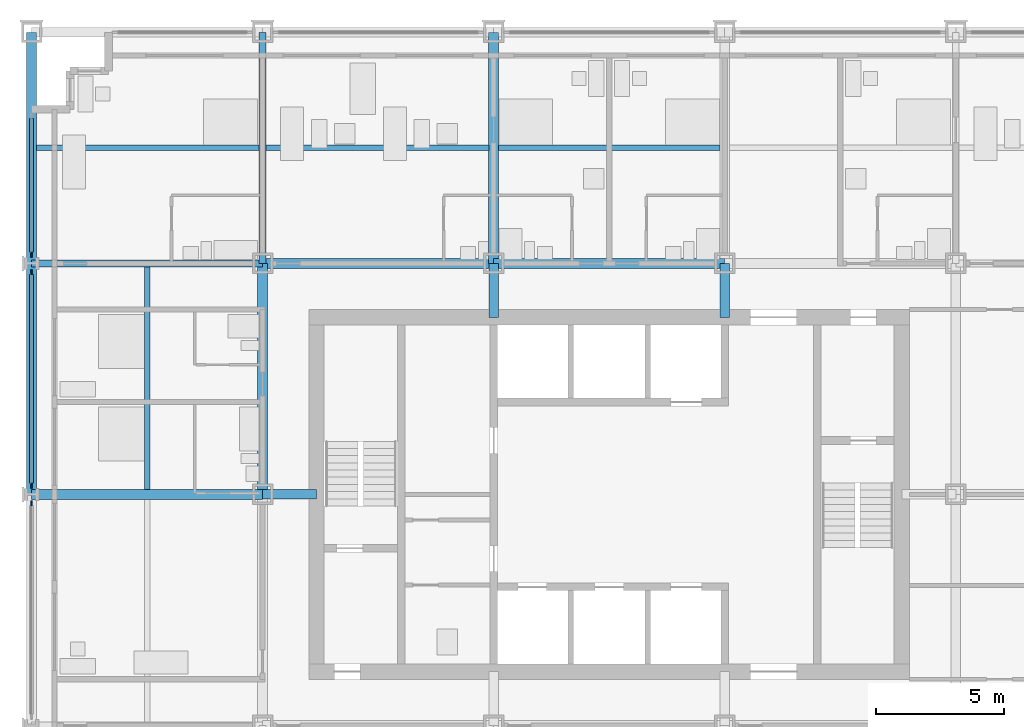
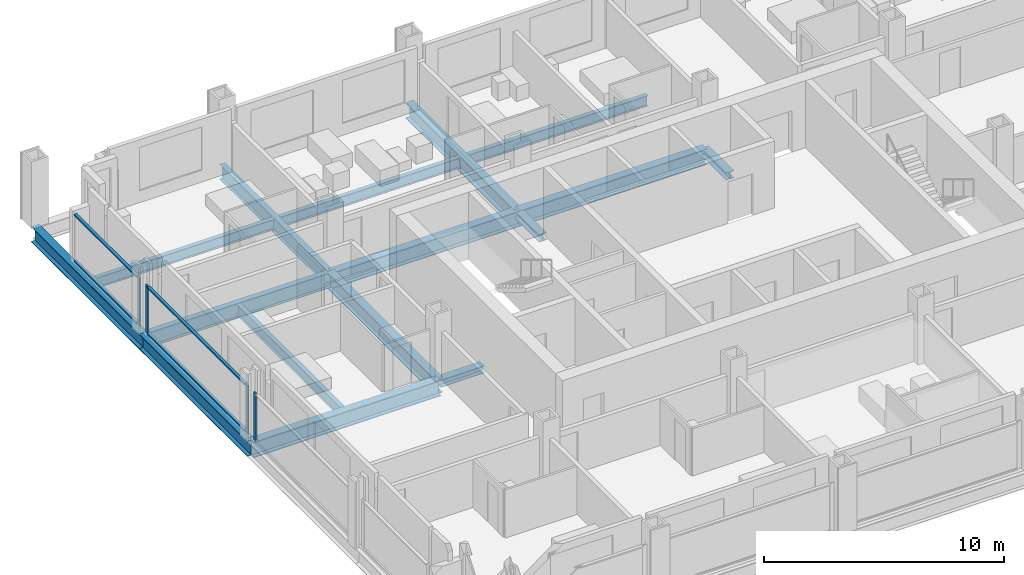
# One storey, part 4 of 18: 13 beams, 11 members, 3 elements without a shape of their own.
"""IFC4 building model written with IfcOpenShell, lengths in metres."""

from ifc_helpers import new_model, si_unit, direction, frame, origin, origin_2d, place, context, subcontext, project, spatial, rectangle, i_section, extrude, material, material_profile, profile_set, type_object, element, aggregate, save


model = new_model("IFC4")

# Units and contexts
model_context = context("Model", 3, precision=1e-05, world=origin(), true_north=direction((0.0, 1.0)))
body_context = subcontext(model_context, "Body", "Model", "MODEL_VIEW")
ifc_project = project(units=[si_unit("LENGTHUNIT", "METRE"), si_unit("AREAUNIT", "SQUARE_METRE"), si_unit("VOLUMEUNIT", "CUBIC_METRE"), si_unit("PLANEANGLEUNIT", "RADIAN"), si_unit("MASSUNIT", "GRAM", prefix="KILO")], contexts=[model_context])

# Site, building, storey
site_placement = place(None, origin())
site = spatial("IfcSite", under=ifc_project, at=site_placement, CompositionType="ELEMENT")
building_placement = place(site_placement, origin())
building = spatial("IfcBuilding", under=site, at=building_placement, Name="Loomwork Tower", CompositionType="ELEMENT")
storey_placement = place(building_placement, frame((0.0, 0.0, 45.0)))
storey = spatial("IfcBuildingStorey", under=building, at=storey_placement, Name="L10", CompositionType="ELEMENT", Elevation=45.0)

# Beams
ifc_material_1 = material(Name="Steel ASTM A992", Category="steel")
ifc_material_profile_1 = material_profile(ifc_material_1, i_section(OverallWidth=0.383544921875, OverallDepth=0.794921875, WebThickness=0.02099609375, FlangeThickness=0.0380859375, at=origin_2d()), Name="W30x235")
ifc_profile_set_1 = profile_set([ifc_material_profile_1], Name="Steel ASTM A992")
beam_type_1 = type_object("IfcBeamType", Name="CORE FLANK GIRDER W30x235", PredefinedType="BEAM", material=ifc_profile_set_1)
for number, where, z_axis, x_axis, name in (
    (1, (0.0, 18.0, -0.597412109375), (1.0, 0.0, 0.0), (0.0, 1.0, 0.0), "Core Flank Girder F/2-F/3 L10"),
    (2, (9.0, 27.0, -0.597412109375), (1.0, 0.0, 0.0), (0.0, 1.0, 0.0), "Core Flank Girder G/3-G/4 L10"),
    (3, (18.0, 27.0, -0.597412109375), (1.0, 0.0, 0.0), (0.0, 1.0, 0.0), "Core Flank Girder G/4-G/5 L10"),
    (4, (9.0, 18.0, -0.597412109375), (0.0, 1.0, 0.0), (-1.0, 0.0, 0.0), "Core Flank Girder F/3-G/3 L10"),
    (5, (18.0, 27.0, -0.597412109375), (0.0, 1.0, 0.0), (-1.0, 0.0, 0.0), "Core Flank Girder G/4-H/4 L10"),
):
    element("IfcBeam", number, at=place(storey_placement, frame(where, z_axis=z_axis, x_axis=x_axis)), inside=storey, type_object=beam_type_1, Name=name, PredefinedType="BEAM", context=body_context, shape_type="SweptSolid", body=[
        extrude(i_section(OverallWidth=0.383544921875, OverallDepth=0.794921875, WebThickness=0.02099609375, FlangeThickness=0.0380859375, at=origin_2d()), origin(), (0.0, 0.0, 1.0), 9.0),
    ])

# Members
ifc_material_2 = material(Name="Steel ASTM A992", Category="steel")
ifc_material_profile_2 = material_profile(ifc_material_2, i_section(OverallWidth=0.373291015625, OverallDepth=0.373291015625, WebThickness=0.016357421875, FlangeThickness=0.026123046875, at=origin_2d()), Name="W14x132")
ifc_profile_set_2 = profile_set([ifc_material_profile_2], Name="Steel ASTM A992")
member_type_1 = type_object("IfcMemberType", Name="CORE LINK STRUT W14x132", PredefinedType="STRUT", material=ifc_profile_set_2)
for number, where, z_axis, x_axis, name in (
    (6, (27.0, 27.0, -0.38671875), (0.0, -1.0, 0.0), (1.0, 0.0, 0.0), "Core link strut G/5-27.000,24.900 L10"),
    (7, (18.0, 27.0, -0.38671875), (0.0, -1.0, 0.0), (1.0, 0.0, 0.0), "Core link strut G/4-18.000,24.900 L10"),
    (8, (9.0, 18.0, -0.38671875), (1.0, 0.0, 0.0), (0.0, 1.0, 0.0), "Core link strut F/3-11.100,18.000 L10"),
):
    element("IfcMember", number, at=place(storey_placement, frame(where, z_axis=z_axis, x_axis=x_axis)), inside=storey, type_object=member_type_1, Name=name, PredefinedType="STRUT", context=body_context, shape_type="SweptSolid", body=[
        extrude(i_section(OverallWidth=0.373291015625, OverallDepth=0.373291015625, WebThickness=0.016357421875, FlangeThickness=0.026123046875, at=origin_2d()), origin(), (0.0, 0.0, 1.0), 2.10009765625),
    ])

# Beams
ifc_material_3 = material(Name="Steel ASTM A992", Category="steel")
ifc_material_profile_3 = material_profile(ifc_material_3, i_section(OverallWidth=0.2666015625, OverallDepth=0.761962890625, WebThickness=0.014404296875, FlangeThickness=0.021484375, at=origin_2d()), Name="W30x116")
ifc_profile_set_3 = profile_set([ifc_material_profile_3], Name="Steel ASTM A992")
beam_type_2 = type_object("IfcBeamType", Name="FLOOR GIRDER W30x116", PredefinedType="BEAM", material=ifc_profile_set_3)
for number, where, z_axis, x_axis, name in (
    (9, (0.0, 27.0, -0.5810546875), (1.0, 0.0, 0.0), (0.0, 1.0, 0.0), "Floor Girder G/2-G/3 L10"),
    (10, (9.0, 27.0, -0.5810546875), (0.0, 1.0, 0.0), (-1.0, 0.0, 0.0), "Floor Girder G/3-H/3 L10"),
):
    element("IfcBeam", number, at=place(storey_placement, frame(where, z_axis=z_axis, x_axis=x_axis)), inside=storey, type_object=beam_type_2, Name=name, PredefinedType="BEAM", context=body_context, shape_type="SweptSolid", body=[
        extrude(i_section(OverallWidth=0.2666015625, OverallDepth=0.761962890625, WebThickness=0.014404296875, FlangeThickness=0.021484375, at=origin_2d()), origin(), (0.0, 0.0, 1.0), 9.0),
    ])
ifc_material_4 = material(Name="Steel ASTM A992", Category="steel")
ifc_material_profile_4 = material_profile(ifc_material_4, i_section(OverallWidth=0.2109375, OverallDepth=0.53857421875, WebThickness=0.011474609375, FlangeThickness=0.018798828125, at=origin_2d()), Name="W21x73")
ifc_profile_set_4 = profile_set([ifc_material_profile_4], Name="Steel ASTM A992")
beam_type_3 = type_object("IfcBeamType", Name="FLOOR JOIST W21x73", PredefinedType="JOIST", material=ifc_profile_set_4)
beam_1_placement = place(storey_placement, frame((4.5, 18.19091796875, -0.46923828125), z_axis=(0.0, 1.0, 0.0), x_axis=(-1.0, 0.0, 0.0)))
element("IfcBeam", 11, at=beam_1_placement, inside=storey, type_object=beam_type_3, Name="Floor Joist 4.500,18.000-4.500,27.000 L10", PredefinedType="JOIST", context=body_context, shape_type="SweptSolid", body=[
    extrude(i_section(OverallWidth=0.2109375, OverallDepth=0.53857421875, WebThickness=0.011474609375, FlangeThickness=0.018798828125, at=origin_2d()), origin(), (0.0, 0.0, 1.0), 8.676025390625),
])
beam_2_placement = place(storey_placement, frame((0.18994140625, 31.5, -0.46923828125), z_axis=(1.0, 0.0, 0.0), x_axis=(0.0, 1.0, 0.0)))
element("IfcBeam", 12, at=beam_2_placement, inside=storey, type_object=beam_type_3, Name="Floor Joist 0.000,31.500-9.000,31.500 L10", PredefinedType="JOIST", context=body_context, shape_type="SweptSolid", body=[
    extrude(i_section(OverallWidth=0.2109375, OverallDepth=0.53857421875, WebThickness=0.011474609375, FlangeThickness=0.018798828125, at=origin_2d()), origin(), (0.0, 0.0, 1.0), 8.677001953125),
])
beam_3_placement = place(storey_placement, frame((9.133056640625, 31.5, -0.46923828125), z_axis=(1.0, 0.0, 0.0), x_axis=(0.0, 1.0, 0.0)))
element("IfcBeam", 13, at=beam_3_placement, inside=storey, type_object=beam_type_3, Name="Floor Joist 9.000,31.500-18.000,31.500 L10", PredefinedType="JOIST", context=body_context, shape_type="SweptSolid", body=[
    extrude(i_section(OverallWidth=0.2109375, OverallDepth=0.53857421875, WebThickness=0.011474609375, FlangeThickness=0.018798828125, at=origin_2d()), origin(), (0.0, 0.0, 1.0), 8.676025390625),
])
beam_4_placement = place(storey_placement, frame((18.19091796875, 31.5, -0.46923828125), z_axis=(1.0, 0.0, 0.0), x_axis=(0.0, 1.0, 0.0)))
element("IfcBeam", 14, at=beam_4_placement, inside=storey, type_object=beam_type_3, Name="Floor Joist 18.000,31.500-27.000,31.500 L10", PredefinedType="JOIST", context=body_context, shape_type="SweptSolid", body=[
    extrude(i_section(OverallWidth=0.2109375, OverallDepth=0.53857421875, WebThickness=0.011474609375, FlangeThickness=0.018798828125, at=origin_2d()), origin(), (0.0, 0.0, 1.0), 8.6181640625),
])

# Curtain wall, member
ifc_material_5 = material(Name="Aluminium curtain wall frame", Category="aluminium")
curtain_wall_type = type_object("IfcCurtainWallType", Name="Outer skin glazing hotel", PredefinedType="NOTDEFINED", material=ifc_material_5)
curtain_wall_1_placement = place(storey_placement, origin())
curtain_wall_1 = element("IfcCurtainWall", 15, at=curtain_wall_1_placement, inside=storey, type_object=curtain_wall_type, Name="Outer skin glazing hotel cw/W-9", PredefinedType="NOTDEFINED")
ifc_material_6 = material(Name="Aluminium curtain wall frame", Category="aluminium")
ifc_material_profile_5 = material_profile(ifc_material_6, rectangle(XDim=0.06494140625, YDim=0.199951171875, at=origin_2d()), Name="AL 65x200")
ifc_profile_set_5 = profile_set([ifc_material_profile_5], Name="Aluminium curtain wall frame")
member_type_2 = type_object("IfcMemberType", Name="Outer skin glazing hotel mullion", PredefinedType="MULLION", material=ifc_profile_set_5)
member_1_placement = place(storey_placement, frame((0.0, 17.6611328125, 0.0), z_axis=(0.0, 0.0, 1.0), x_axis=(1.0, 0.0, 0.0)))
member_1 = element("IfcMember", 16, at=member_1_placement, type_object=member_type_2, Name="CW1 mullion 1", PredefinedType="MULLION", context=body_context, shape_type="SweptSolid", body=[
    extrude(rectangle(XDim=0.06494140625, YDim=0.199951171875, at=origin_2d()), origin(), (0.0, 0.0, 1.0), 2.420166015625),
])
aggregate(curtain_wall_1, [member_1])

# Curtain wall, members
curtain_wall_2_placement = place(storey_placement, origin())
curtain_wall_2 = element("IfcCurtainWall", 17, at=curtain_wall_2_placement, inside=storey, type_object=curtain_wall_type, Name="Outer skin glazing hotel cw/W-18", PredefinedType="NOTDEFINED")
member_2_placement = place(storey_placement, frame((0.0, 26.6611328125, 0.0), z_axis=(0.0, 0.0, 1.0), x_axis=(1.0, 0.0, 0.0)))
member_2 = element("IfcMember", 18, at=member_2_placement, type_object=member_type_2, Name="CW1 mullion 1", PredefinedType="MULLION", context=body_context, shape_type="SweptSolid", body=[
    extrude(rectangle(XDim=0.06494140625, YDim=0.199951171875, at=origin_2d()), origin(), (0.0, 0.0, 1.0), 2.420166015625),
])
member_3_placement = place(storey_placement, frame((0.0, 18.3388671875, 0.0), z_axis=(0.0, 0.0, 1.0), x_axis=(1.0, 0.0, 0.0)))
member_3 = element("IfcMember", 19, at=member_3_placement, type_object=member_type_2, Name="CW1 mullion 2", PredefinedType="MULLION", context=body_context, shape_type="SweptSolid", body=[
    extrude(rectangle(XDim=0.06494140625, YDim=0.199951171875, at=origin_2d()), origin(), (0.0, 0.0, 1.0), 2.420166015625),
])

# Curtain wall, member
curtain_wall_3_placement = place(storey_placement, origin())
curtain_wall_3 = element("IfcCurtainWall", 20, at=curtain_wall_3_placement, inside=storey, type_object=curtain_wall_type, Name="Outer skin glazing hotel cw/W-27", PredefinedType="NOTDEFINED")
member_4_placement = place(storey_placement, frame((0.0, 27.3388671875, 0.0), z_axis=(0.0, 0.0, 1.0), x_axis=(1.0, 0.0, 0.0)))
member_4 = element("IfcMember", 21, at=member_4_placement, type_object=member_type_2, Name="CW1 mullion 2", PredefinedType="MULLION", context=body_context, shape_type="SweptSolid", body=[
    extrude(rectangle(XDim=0.06494140625, YDim=0.199951171875, at=origin_2d()), origin(), (0.0, 0.0, 1.0), 2.420166015625),
])

# Member
ifc_material_7 = material(Name="Aluminium curtain wall frame", Category="aluminium")
ifc_material_profile_6 = material_profile(ifc_material_7, rectangle(XDim=0.14990234375, YDim=0.06494140625, at=origin_2d()), Name="AL 65x150")
ifc_profile_set_6 = profile_set([ifc_material_profile_6], Name="Aluminium curtain wall frame")
member_type_3 = type_object("IfcMemberType", Name="Outer skin glazing hotel transom", PredefinedType="USERDEFINED", material=ifc_profile_set_6)
member_5_placement = place(storey_placement, frame((0.0, 26.561279296875, 0.032470703125), z_axis=(0.0, -1.0, 0.0), x_axis=(1.0, 0.0, 0.0)))
member_5 = element("IfcMember", 22, at=member_5_placement, type_object=member_type_3, Name="CW1 transom 1.1", ObjectType="TRANSOM", PredefinedType="USERDEFINED", context=body_context, shape_type="SweptSolid", body=[
    extrude(rectangle(XDim=0.14990234375, YDim=0.06494140625, at=origin_2d()), origin(), (0.0, 0.0, 1.0), 8.12255859375),
])

member_6_placement = place(storey_placement, frame((0.0, 26.561279296875, 2.3876953125), z_axis=(0.0, -1.0, 0.0), x_axis=(1.0, 0.0, 0.0)))
member_6 = element("IfcMember", 23, at=member_6_placement, type_object=member_type_3, Name="CW1 transom 1.2", ObjectType="TRANSOM", PredefinedType="USERDEFINED", context=body_context, shape_type="SweptSolid", body=[
    extrude(rectangle(XDim=0.14990234375, YDim=0.06494140625, at=origin_2d()), origin(), (0.0, 0.0, 1.0), 8.12255859375),
])

aggregate(curtain_wall_2, [member_2, member_3, member_5, member_6])

member_7_placement = place(storey_placement, frame((0.0, 32.64990234375, 0.032470703125), z_axis=(0.0, -1.0, 0.0), x_axis=(1.0, 0.0, 0.0)))
member_7 = element("IfcMember", 24, at=member_7_placement, type_object=member_type_3, Name="CW1 transom 1.1", ObjectType="TRANSOM", PredefinedType="USERDEFINED", context=body_context, shape_type="SweptSolid", body=[
    extrude(rectangle(XDim=0.14990234375, YDim=0.06494140625, at=origin_2d()), origin(), (0.0, 0.0, 1.0), 5.211181640625),
])

member_8_placement = place(storey_placement, frame((0.0, 32.64990234375, 2.3876953125), z_axis=(0.0, -1.0, 0.0), x_axis=(1.0, 0.0, 0.0)))
member_8 = element("IfcMember", 25, at=member_8_placement, type_object=member_type_3, Name="CW1 transom 1.2", ObjectType="TRANSOM", PredefinedType="USERDEFINED", context=body_context, shape_type="SweptSolid", body=[
    extrude(rectangle(XDim=0.14990234375, YDim=0.06494140625, at=origin_2d()), origin(), (0.0, 0.0, 1.0), 5.211181640625),
])

aggregate(curtain_wall_3, [member_4, member_7, member_8])

# Beams
ifc_material_8 = material(Name="Steel ASTM A992", Category="steel")
ifc_material_profile_7 = material_profile(ifc_material_8, i_section(OverallWidth=0.381103515625, OverallDepth=0.77978515625, WebThickness=0.01806640625, FlangeThickness=0.0302734375, at=origin_2d()), Name="W30x191")
ifc_profile_set_7 = profile_set([ifc_material_profile_7], Name="Steel ASTM A992")
beam_type_4 = type_object("IfcBeamType", Name="SPANDREL GIRDER W30x191", PredefinedType="SPANDREL", material=ifc_profile_set_7)
for number, where, z_axis, x_axis, name in (
    (26, (0.0, 18.0, -0.58984375), (0.0, 1.0, 0.0), (-1.0, 0.0, 0.0), "Spandrel Girder F/2-G/2 L10"),
    (27, (0.0, 27.0, -0.58984375), (0.0, 1.0, 0.0), (-1.0, 0.0, 0.0), "Spandrel Girder G/2-H/2 L10"),
):
    element("IfcBeam", number, at=place(storey_placement, frame(where, z_axis=z_axis, x_axis=x_axis)), inside=storey, type_object=beam_type_4, Name=name, PredefinedType="SPANDREL", context=body_context, shape_type="SweptSolid", body=[
        extrude(i_section(OverallWidth=0.381103515625, OverallDepth=0.77978515625, WebThickness=0.01806640625, FlangeThickness=0.0302734375, at=origin_2d()), origin(), (0.0, 0.0, 1.0), 9.0),
    ])

save(model, "model.ifc")
